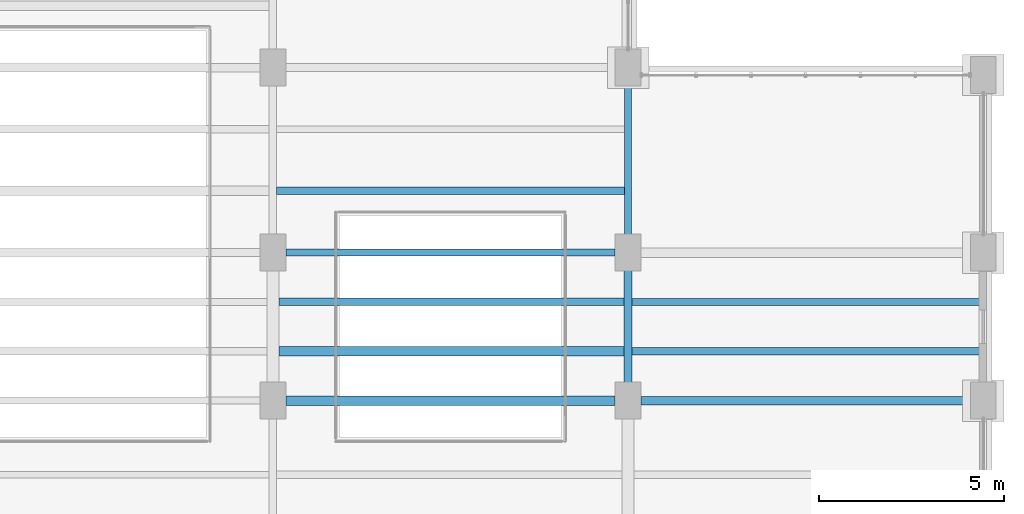
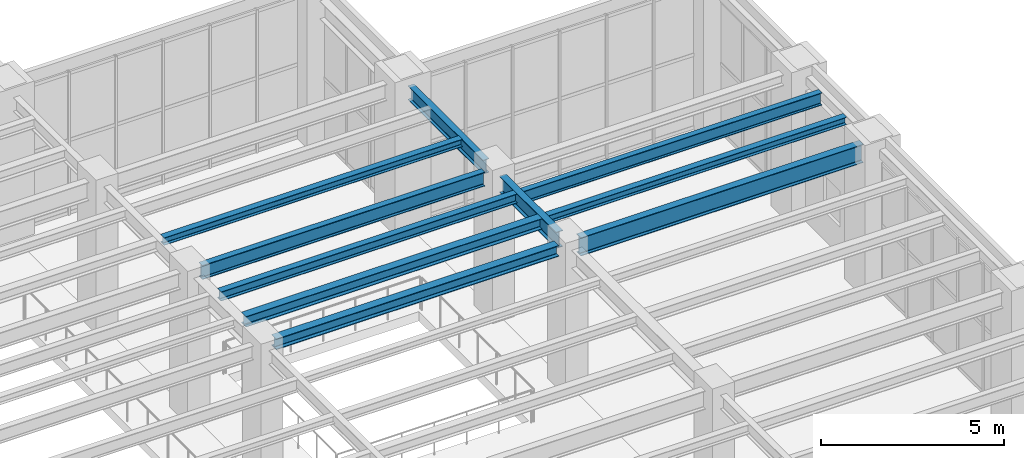
# One storey, part 110 of 174: 10 beams.
"""IFC4 building model written with IfcOpenShell, lengths in metres."""

from ifc_helpers import new_model, si_unit, direction, frame, origin, origin_2d, place, context, subcontext, project, spatial, i_section, extrude, material, material_profile, profile_set, type_object, element, save


model = new_model("IFC4")

# Units and contexts
model_context = context("Model", 3, precision=1e-05, world=origin(), true_north=direction((0.0, 1.0)))
body_context = subcontext(model_context, "Body", "Model", "MODEL_VIEW")
ifc_project = project(units=[si_unit("LENGTHUNIT", "METRE"), si_unit("AREAUNIT", "SQUARE_METRE"), si_unit("VOLUMEUNIT", "CUBIC_METRE"), si_unit("PLANEANGLEUNIT", "RADIAN"), si_unit("MASSUNIT", "GRAM", prefix="KILO")], contexts=[model_context])

# Site, building, storey
site_placement = place(None, origin())
site = spatial("IfcSite", under=ifc_project, at=site_placement, CompositionType="ELEMENT")
building_placement = place(site_placement, origin())
building = spatial("IfcBuilding", under=site, at=building_placement, Name="Mavantir Sound Aquarium", CompositionType="ELEMENT")
storey_placement = place(building_placement, frame((0.0, 0.0, 5.39990234375)))
storey = spatial("IfcBuildingStorey", under=building, at=storey_placement, Name="L01", CompositionType="ELEMENT", Elevation=5.39990234375)

# Beams
ifc_material = material(Name="Structural Steel ASTM A992 Gr50", Category="steel")
ifc_material_profile_1 = material_profile(ifc_material, i_section(OverallWidth=0.202880859375, OverallDepth=0.251953125, WebThickness=0.008056640625, FlangeThickness=0.013427734375, FilletRadius=0.011962890625, at=origin_2d()), Name="W250X58")
ifc_profile_set_1 = profile_set([ifc_material_profile_1], Name="Structural Steel ASTM A992 Gr50")
beam_type_1 = type_object("IfcBeamType", Name="BM-W250X58-I", PredefinedType="JOIST", material=ifc_profile_set_1)
beam_1_placement = place(storey_placement, frame((165.7060546875, 58.13330078125, 4.68017578125), z_axis=(1.0, 0.0, 0.0), x_axis=(0.0, 1.0, 0.0)))
element("IfcBeam", 1, at=beam_1_placement, inside=storey, type_object=beam_type_1, Name="L01 secondary floor joist SJ-25 776", PredefinedType="JOIST", context=body_context, shape_type="SweptSolid", body=[
    extrude(i_section(OverallWidth=0.202880859375, OverallDepth=0.251953125, WebThickness=0.008056640625, FlangeThickness=0.013427734375, FilletRadius=0.011962890625, at=origin_2d()), origin(), (0.0, 0.0, 1.0), 9.39404296875),
])
beam_2_placement = place(storey_placement, frame((156.10595703125, 62.466796875, 4.68017578125), z_axis=(1.0, 0.0, 0.0), x_axis=(0.0, 1.0, 0.0)))
element("IfcBeam", 2, at=beam_2_placement, inside=storey, type_object=beam_type_1, Name="L01 secondary floor joist SJ-25 780", PredefinedType="JOIST", context=body_context, shape_type="SweptSolid", body=[
    extrude(i_section(OverallWidth=0.202880859375, OverallDepth=0.251953125, WebThickness=0.008056640625, FlangeThickness=0.013427734375, FilletRadius=0.011962890625, at=origin_2d()), origin(), (0.0, 0.0, 1.0), 9.39697265625),
])
ifc_material_profile_2 = material_profile(ifc_material, i_section(OverallWidth=0.205078125, OverallDepth=0.31005859375, WebThickness=0.009521484375, FlangeThickness=0.016357421875, FilletRadius=0.012939453125, at=origin_2d()), Name="W310X74")
ifc_profile_set_2 = profile_set([ifc_material_profile_2], Name="Structural Steel ASTM A992 Gr50")
beam_type_2 = type_object("IfcBeamType", Name="BM-W310X74-I", PredefinedType="JOIST", material=ifc_profile_set_2)
beam_3_placement = place(storey_placement, frame((156.162109375, 59.466796875, 4.651123046875), z_axis=(1.0, 0.0, 0.0), x_axis=(0.0, 1.0, 0.0)))
element("IfcBeam", 3, at=beam_3_placement, inside=storey, type_object=beam_type_2, Name="L01 secondary floor joist SJ-31 775", PredefinedType="JOIST", context=body_context, shape_type="SweptSolid", body=[
    extrude(i_section(OverallWidth=0.205078125, OverallDepth=0.31005859375, WebThickness=0.009521484375, FlangeThickness=0.016357421875, FilletRadius=0.012939453125, at=origin_2d()), origin(), (0.0, 0.0, 1.0), 9.331787109375),
])
ifc_material_profile_3 = material_profile(ifc_material, i_section(OverallWidth=0.257080078125, OverallDepth=0.363037109375, WebThickness=0.012939453125, FlangeThickness=0.021728515625, FilletRadius=0.014892578125, at=origin_2d()), Name="W360X122")
ifc_profile_set_3 = profile_set([ifc_material_profile_3], Name="Structural Steel ASTM A992 Gr50")
beam_type_3 = type_object("IfcBeamType", Name="BM-W360X122-I", PredefinedType="BEAM", material=ifc_profile_set_3)
beam_4_placement = place(storey_placement, frame((156.35009765625, 56.800048828125, 4.62451171875), z_axis=(1.0, 0.0, 0.0), x_axis=(0.0, 1.0, 0.0)))
element("IfcBeam", 4, at=beam_4_placement, inside=storey, type_object=beam_type_3, Name="L01 primary beam SB-36A 1264", PredefinedType="BEAM", context=body_context, shape_type="SweptSolid", body=[
    extrude(i_section(OverallWidth=0.257080078125, OverallDepth=0.363037109375, WebThickness=0.012939453125, FlangeThickness=0.021728515625, FilletRadius=0.014892578125, at=origin_2d()), origin(), (0.0, 0.0, 1.0), 8.89990234375),
])
ifc_material_profile_4 = material_profile(ifc_material, i_section(OverallWidth=0.25390625, OverallDepth=0.35302734375, WebThickness=0.009521484375, FlangeThickness=0.016357421875, FilletRadius=0.014892578125, at=origin_2d()), Name="W360X91")
ifc_profile_set_4 = profile_set([ifc_material_profile_4], Name="Structural Steel ASTM A992 Gr50")
beam_type_4 = type_object("IfcBeamType", Name="BM-W360X91-I", PredefinedType="JOIST", material=ifc_profile_set_4)
beam_5_placement = place(storey_placement, frame((156.162109375, 58.13330078125, 4.629638671875), z_axis=(1.0, 0.0, 0.0), x_axis=(0.0, 1.0, 0.0)))
element("IfcBeam", 5, at=beam_5_placement, inside=storey, type_object=beam_type_4, Name="L01 secondary floor joist SJ-36 774", PredefinedType="JOIST", context=body_context, shape_type="SweptSolid", body=[
    extrude(i_section(OverallWidth=0.25390625, OverallDepth=0.35302734375, WebThickness=0.009521484375, FlangeThickness=0.016357421875, FilletRadius=0.014892578125, at=origin_2d()), origin(), (0.0, 0.0, 1.0), 9.331787109375),
])
ifc_material_profile_5 = material_profile(ifc_material, i_section(OverallWidth=0.180908203125, OverallDepth=0.4169921875, WebThickness=0.010986328125, FlangeThickness=0.018310546875, FilletRadius=0.014892578125, at=origin_2d()), Name="W410X85")
ifc_profile_set_5 = profile_set([ifc_material_profile_5], Name="Structural Steel ASTM A992 Gr50")
beam_type_5 = type_object("IfcBeamType", Name="BM-W410X85-I", PredefinedType="JOIST", material=ifc_profile_set_5)
beam_6_placement = place(storey_placement, frame((165.7060546875, 59.466796875, 4.59765625), z_axis=(1.0, 0.0, 0.0), x_axis=(0.0, 1.0, 0.0)))
element("IfcBeam", 6, at=beam_6_placement, inside=storey, type_object=beam_type_5, Name="L01 secondary floor joist SJ-41 777", PredefinedType="JOIST", context=body_context, shape_type="SweptSolid", body=[
    extrude(i_section(OverallWidth=0.180908203125, OverallDepth=0.4169921875, WebThickness=0.010986328125, FlangeThickness=0.018310546875, FilletRadius=0.014892578125, at=origin_2d()), origin(), (0.0, 0.0, 1.0), 9.39404296875),
])
ifc_material_profile_6 = material_profile(ifc_material, i_section(OverallWidth=0.194091796875, OverallDepth=0.468994140625, WebThickness=0.0126953125, FlangeThickness=0.0205078125, FilletRadius=0.01611328125, at=origin_2d()), Name="W460X106")
ifc_profile_set_6 = profile_set([ifc_material_profile_6], Name="Structural Steel ASTM A992 Gr50")
beam_type_6 = type_object("IfcBeamType", Name="BM-W460X106-I", PredefinedType="BEAM", material=ifc_profile_set_6)
beam_7_placement = place(storey_placement, frame((156.35009765625, 60.800048828125, 4.571533203125), z_axis=(1.0, 0.0, 0.0), x_axis=(0.0, 1.0, 0.0)))
element("IfcBeam", 7, at=beam_7_placement, inside=storey, type_object=beam_type_6, Name="L01 primary beam SB-46 1267", PredefinedType="BEAM", context=body_context, shape_type="SweptSolid", body=[
    extrude(i_section(OverallWidth=0.194091796875, OverallDepth=0.468994140625, WebThickness=0.0126953125, FlangeThickness=0.0205078125, FilletRadius=0.01611328125, at=origin_2d()), origin(), (0.0, 0.0, 1.0), 8.89990234375),
])
beam_8_placement = place(storey_placement, frame((165.60009765625, 61.25, 4.54150390625), z_axis=(0.0, 1.0, 0.0), x_axis=(-1.0, 0.0, 0.0)))
element("IfcBeam", 8, at=beam_8_placement, inside=storey, type_object=beam_type_6, Name="L01 primary girder SB-46 1350", PredefinedType="BEAM", context=body_context, shape_type="SweptSolid", body=[
    extrude(i_section(OverallWidth=0.194091796875, OverallDepth=0.468994140625, WebThickness=0.0126953125, FlangeThickness=0.0205078125, FilletRadius=0.01611328125, at=origin_2d()), origin(), (0.0, 0.0, 1.0), 4.10009765625),
])
ifc_material_profile_7 = material_profile(ifc_material, i_section(OverallWidth=0.2119140625, OverallDepth=0.5439453125, WebThickness=0.01318359375, FlangeThickness=0.021240234375, FilletRadius=0.01806640625, at=origin_2d()), Name="W530X123")
ifc_profile_set_7 = profile_set([ifc_material_profile_7], Name="Structural Steel ASTM A992 Gr50")
beam_type_7 = type_object("IfcBeamType", Name="BM-W530X123-I", PredefinedType="BEAM", material=ifc_profile_set_7)
beam_9_placement = place(storey_placement, frame((165.60009765625, 57.25, 4.5341796875), z_axis=(0.0, 1.0, 0.0), x_axis=(-1.0, 0.0, 0.0)))
element("IfcBeam", 9, at=beam_9_placement, inside=storey, type_object=beam_type_7, Name="L01 primary girder SB-53 1349", PredefinedType="BEAM", context=body_context, shape_type="SweptSolid", body=[
    extrude(i_section(OverallWidth=0.2119140625, OverallDepth=0.5439453125, WebThickness=0.01318359375, FlangeThickness=0.021240234375, FilletRadius=0.01806640625, at=origin_2d()), origin(), (0.0, 0.0, 1.0), 3.10009765625),
])
ifc_material_profile_8 = material_profile(ifc_material, i_section(OverallWidth=0.22900390625, OverallDepth=0.612060546875, WebThickness=0.011962890625, FlangeThickness=0.01953125, FilletRadius=0.01904296875, at=origin_2d()), Name="W610X125")
ifc_profile_set_8 = profile_set([ifc_material_profile_8], Name="Structural Steel ASTM A992 Gr50")
beam_type_8 = type_object("IfcBeamType", Name="BM-W610X125-I", PredefinedType="BEAM", material=ifc_profile_set_8)
beam_10_placement = place(storey_placement, frame((165.949951171875, 56.800048828125, 4.5), z_axis=(1.0, 0.0, 0.0), x_axis=(0.0, 1.0, 0.0)))
element("IfcBeam", 10, at=beam_10_placement, inside=storey, type_object=beam_type_8, Name="L01 primary beam SB-61B 1265", PredefinedType="BEAM", context=body_context, shape_type="SweptSolid", body=[
    extrude(i_section(OverallWidth=0.22900390625, OverallDepth=0.612060546875, WebThickness=0.011962890625, FlangeThickness=0.01953125, FilletRadius=0.01904296875, at=origin_2d()), origin(), (0.0, 0.0, 1.0), 8.900146484375),
])

save(model, "model.ifc")
